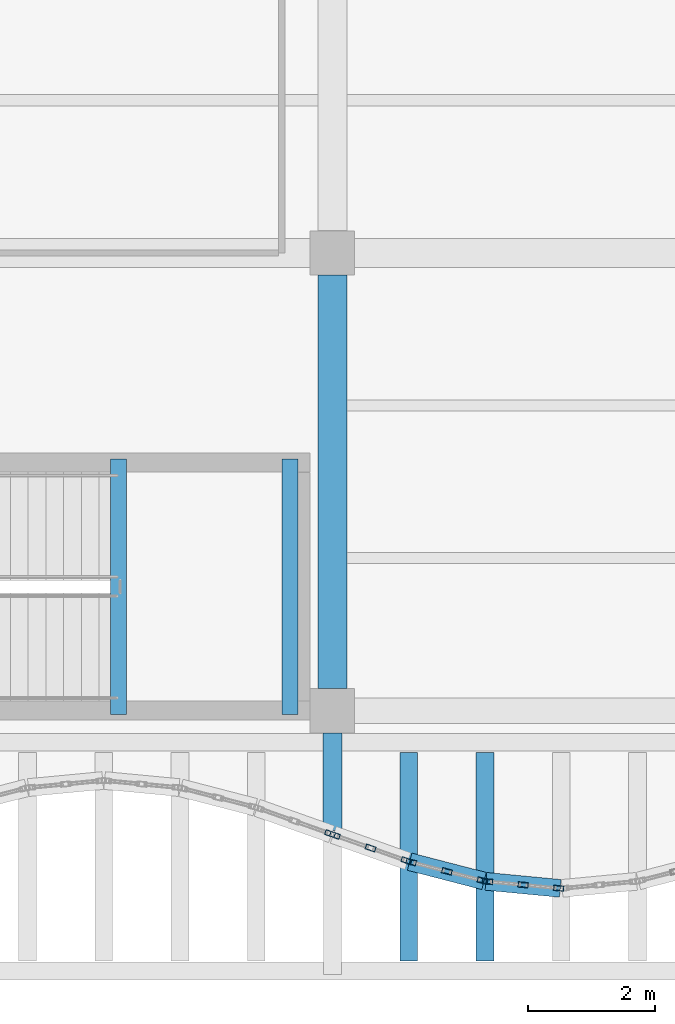
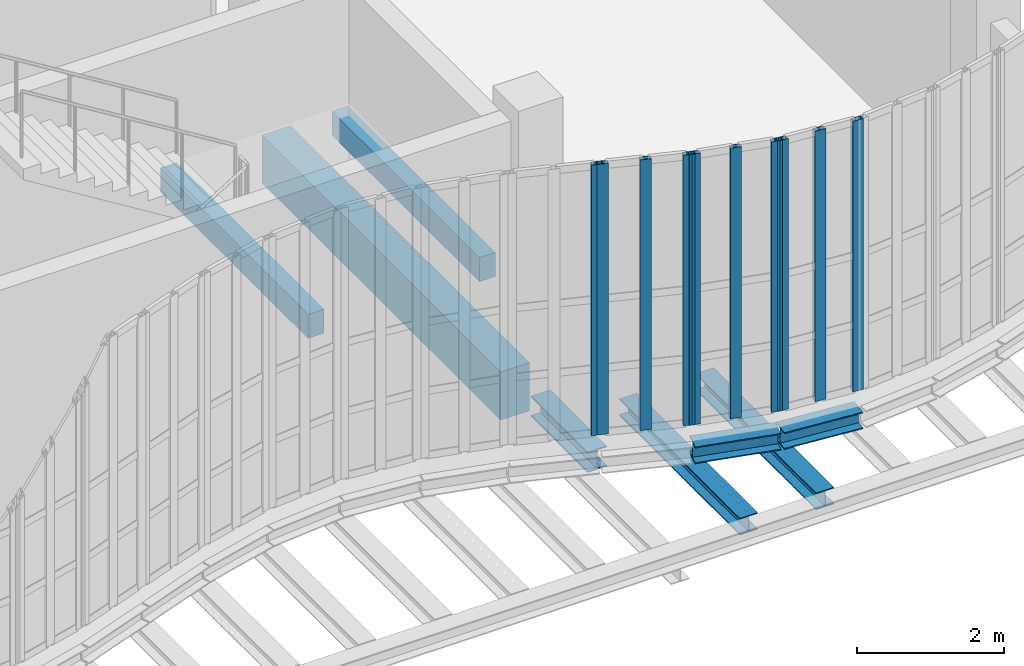
# One storey, part 37 of 108: 10 members, 8 beams, 4 elements without a shape of their own.
"""IFC4 building model written with IfcOpenShell, lengths in metres."""

from ifc_helpers import new_model, si_unit, direction, frame, origin, origin_2d, place, context, subcontext, project, spatial, rectangle, hollow_rectangle, i_section, extrude, material, layer, layer_set, material_profile, profile_set, type_object, element, aggregate, save


model = new_model("IFC4")

# Units and contexts
model_context = context("Model", 3, precision=1e-05, world=origin(), true_north=direction((0.0, 1.0)))
body_context = subcontext(model_context, "Body", "Model", "MODEL_VIEW")
ifc_project = project(units=[si_unit("LENGTHUNIT", "METRE"), si_unit("AREAUNIT", "SQUARE_METRE"), si_unit("VOLUMEUNIT", "CUBIC_METRE"), si_unit("PLANEANGLEUNIT", "RADIAN"), si_unit("MASSUNIT", "GRAM", prefix="KILO"), si_unit("THERMODYNAMICTEMPERATUREUNIT", "KELVIN"), si_unit("POWERUNIT", "WATT")], contexts=[model_context])

# Site, building, storey
site_placement = place(None, origin())
site = spatial("IfcSite", under=ifc_project, at=site_placement, CompositionType="ELEMENT")
building_placement = place(site_placement, origin())
building = spatial("IfcBuilding", under=site, at=building_placement, Name="Kaldorven Railside Theatre", CompositionType="ELEMENT")
storey_placement = place(building_placement, frame((0.0, 0.0, 5.39990234375)))
storey = spatial("IfcBuildingStorey", under=building, at=storey_placement, Name="L01", CompositionType="ELEMENT", Elevation=5.39990234375)

# Beams
ifc_material_1 = material(Name="Steel S355", Category="steel")
ifc_material_profile_1 = material_profile(ifc_material_1, i_section(OverallWidth=0.280029296875, OverallDepth=0.280029296875, WebThickness=0.010498046875, FlangeThickness=0.01806640625, at=origin_2d()), Name="HEB 280")
ifc_profile_set_1 = profile_set([ifc_material_profile_1], Name="Steel S355")
beam_type_1 = type_object("IfcBeamType", Name="BM-HEB280", PredefinedType="SPANDREL", material=ifc_profile_set_1)
beam_1_placement = place(storey_placement, frame((117.214599609375, 16.8212890625, -0.43994140625), z_axis=(0.967967836725, -0.251074226206, 0.0), x_axis=(0.251074226206, 0.967967836725, 0.0)))
element("IfcBeam", 1, at=beam_1_placement, inside=storey, type_object=beam_type_1, Name="L01 Sinusoidal Flute Edge Spandrel FSB-068", PredefinedType="SPANDREL", context=body_context, shape_type="SweptSolid", body=[
    extrude(i_section(OverallWidth=0.280029296875, OverallDepth=0.280029296875, WebThickness=0.010498046875, FlangeThickness=0.01806640625, at=origin_2d()), origin(), (0.0, 0.0, 1.0), 1.209716796875),
])
beam_2_placement = place(storey_placement, frame((117.199951171875, 15.260009765625, -0.719970703125), z_axis=(0.0, 1.0, 0.0), x_axis=(-1.0, 0.0, 0.0)))
element("IfcBeam", 2, at=beam_2_placement, inside=storey, type_object=beam_type_1, Name="L01 Sinusoidal Diaphragm Rib Outrigger FOB-M068", PredefinedType="SPANDREL", context=body_context, shape_type="SweptSolid", body=[
    extrude(i_section(OverallWidth=0.280029296875, OverallDepth=0.280029296875, WebThickness=0.010498046875, FlangeThickness=0.01806640625, at=origin_2d()), origin(), (0.0, 0.0, 1.0), 3.280029296875),
])
beam_3_placement = place(storey_placement, frame((118.414794921875, 16.512451171875, -0.43994140625), z_axis=(0.995526219207, -0.09448569665, 0.0), x_axis=(0.09448569665, 0.995526219207, 0.0)))
element("IfcBeam", 3, at=beam_3_placement, inside=storey, type_object=beam_type_1, Name="L01 Sinusoidal Flute Edge Spandrel FSB-069", PredefinedType="SPANDREL", context=body_context, shape_type="SweptSolid", body=[
    extrude(i_section(OverallWidth=0.280029296875, OverallDepth=0.280029296875, WebThickness=0.010498046875, FlangeThickness=0.01806640625, at=origin_2d()), origin(), (0.0, 0.0, 1.0), 1.17578125),
])
beam_4_placement = place(storey_placement, frame((118.39990234375, 15.260009765625, -0.719970703125), z_axis=(0.0, 1.0, 0.0), x_axis=(-1.0, 0.0, 0.0)))
element("IfcBeam", 4, at=beam_4_placement, inside=storey, type_object=beam_type_1, Name="L01 Sinusoidal Diaphragm Rib Outrigger FOB-M069", PredefinedType="SPANDREL", context=body_context, shape_type="SweptSolid", body=[
    extrude(i_section(OverallWidth=0.280029296875, OverallDepth=0.280029296875, WebThickness=0.010498046875, FlangeThickness=0.01806640625, at=origin_2d()), origin(), (0.0, 0.0, 1.0), 3.280029296875),
])
ifc_material_profile_2 = material_profile(ifc_material_1, i_section(OverallWidth=0.300048828125, OverallDepth=0.340087890625, WebThickness=0.011962890625, FlangeThickness=0.021484375, at=origin_2d()), Name="HEB 340")
ifc_profile_set_2 = profile_set([ifc_material_profile_2], Name="Steel S355")
beam_type_2 = type_object("IfcBeamType", Name="BM-HEB340", PredefinedType="SPANDREL", material=ifc_profile_set_2)
beam_5_placement = place(storey_placement, frame((116.0, 17.31005859375, -0.469970703125), z_axis=(0.0, 1.0, 0.0), x_axis=(-1.0, 0.0, 0.0)))
element("IfcBeam", 5, at=beam_5_placement, inside=storey, type_object=beam_type_2, Name="L01 Sinusoidal Veil Outrigger FOB-1116", PredefinedType="SPANDREL", context=body_context, shape_type="SweptSolid", body=[
    extrude(i_section(OverallWidth=0.300048828125, OverallDepth=0.340087890625, WebThickness=0.011962890625, FlangeThickness=0.021484375, at=origin_2d()), origin(), (0.0, 0.0, 1.0), 1.5400390625),
])
ifc_material_2 = material(Name="Concrete C40/50", Category="concrete")
ifc_material_profile_3 = material_profile(ifc_material_2, rectangle(XDim=0.25, YDim=0.39990234375, at=origin_2d()), Name="RC 250x400")
ifc_profile_set_3 = profile_set([ifc_material_profile_3], Name="Concrete C40/50")
beam_type_3 = type_object("IfcBeamType", Name="BM-RC250x400", PredefinedType="LINTEL", material=ifc_profile_set_3)
for number, where, z_axis, x_axis, name in (
    (6, (112.635009765625, 19.139892578125, 1.85009765625), (0.0, 1.0, 0.0), (-1.0, 0.0, 0.0), "Stair ST-04 L01 Half-Landing Bearer"),
    (7, (115.330078125, 19.139892578125, 1.85009765625), (0.0, 1.0, 0.0), (-1.0, 0.0, 0.0), "Stair ST-04 L01 Half-Landing Bearer"),
):
    element("IfcBeam", number, at=place(storey_placement, frame(where, z_axis=z_axis, x_axis=x_axis)), inside=storey, type_object=beam_type_3, Name=name, PredefinedType="LINTEL", context=body_context, shape_type="SweptSolid", body=[
        extrude(rectangle(XDim=0.25, YDim=0.39990234375, at=origin_2d()), origin(), (0.0, 0.0, 1.0), 4.02001953125),
    ])
ifc_material_profile_4 = material_profile(ifc_material_2, rectangle(XDim=0.449951171875, YDim=0.800048828125, at=origin_2d()), Name="RC 450x800")
ifc_profile_set_4 = profile_set([ifc_material_profile_4], Name="Concrete C40/50")
beam_type_4 = type_object("IfcBeamType", Name="BM-RC450x800", PredefinedType="BEAM", material=ifc_profile_set_4)
beam_6_placement = place(storey_placement, frame((116.0, 19.550048828125, -0.699951171875), z_axis=(0.0, 1.0, 0.0), x_axis=(-1.0, 0.0, 0.0)))
element("IfcBeam", 8, at=beam_6_placement, inside=storey, type_object=beam_type_4, Name="L01 Girder BGY-L01-116-019-72", PredefinedType="BEAM", context=body_context, shape_type="SweptSolid", body=[
    extrude(rectangle(XDim=0.449951171875, YDim=0.800048828125, at=origin_2d()), origin(), (0.0, 0.0, 1.0), 6.5),
])

# Curtain wall, member
ifc_material_3 = material(Name="Low-E laminated solar-control glass", Category="glass")
ifc_layer_1 = layer(ifc_material_3, 0.159912109375, Name="Low-E laminated solar-control glass")
ifc_layer_set_1 = layer_set([ifc_layer_1], Name="Low-E laminated solar-control glass")
curtain_wall_type_1 = type_object("IfcCurtainWallType", Name="CWT-01", PredefinedType="USERDEFINED", material=ifc_layer_set_1)
curtain_wall_1_placement = place(storey_placement, origin())
curtain_wall_1 = element("IfcCurtainWall", 9, at=curtain_wall_1_placement, inside=storey, type_object=curtain_wall_type_1, Name="Sinusoidal Fluted Curtain Wall CW-L01-S66", ObjectType="FLUTED GLAZING", PredefinedType="USERDEFINED")
ifc_material_4 = material(Name="Anodised bronze aluminium", Category="aluminium")
ifc_material_profile_5 = material_profile(ifc_material_4, hollow_rectangle(XDim=0.080078125, YDim=0.159912109375, WallThickness=0.00634765625, at=origin_2d()), Name="RHS 160x80x6.3")
ifc_profile_set_5 = profile_set([ifc_material_profile_5], Name="Anodised bronze aluminium")
member_type = type_object("IfcMemberType", Name="CWM-160", PredefinedType="MULLION", material=ifc_profile_set_5)
member_1_placement = place(storey_placement, frame((115.96240234375, 17.263427734375, 0.0), z_axis=(0.0, 0.0, 1.0), x_axis=(0.33384714225, 0.942627225159, 0.0)))
member_1 = element("IfcMember", 10, at=member_1_placement, type_object=member_type, Name="CW-L01-S66 mullion 3", PredefinedType="MULLION", context=body_context, shape_type="SweptSolid", body=[
    extrude(hollow_rectangle(XDim=0.080078125, YDim=0.159912109375, WallThickness=0.00634765625, at=origin_2d()), origin(), (0.0, 0.0, 1.0), 4.5),
])
aggregate(curtain_wall_1, [member_1])

# Curtain wall, members
curtain_wall_2_placement = place(storey_placement, origin())
curtain_wall_2 = element("IfcCurtainWall", 11, at=curtain_wall_2_placement, inside=storey, type_object=curtain_wall_type_1, Name="Sinusoidal Fluted Curtain Wall CW-L01-S67", ObjectType="FLUTED GLAZING", PredefinedType="USERDEFINED")
member_2_placement = place(storey_placement, frame((116.03759765625, 17.236572265625, 0.0), z_axis=(0.0, 0.0, 1.0), x_axis=(0.33384714225, 0.942627225159, 0.0)))
member_2 = element("IfcMember", 12, at=member_2_placement, type_object=member_type, Name="CW-L01-S67 mullion 1", PredefinedType="MULLION", context=body_context, shape_type="SweptSolid", body=[
    extrude(hollow_rectangle(XDim=0.080078125, YDim=0.159912109375, WallThickness=0.00634765625, at=origin_2d()), origin(), (0.0, 0.0, 1.0), 4.5),
])
member_3_placement = place(storey_placement, frame((116.60009765625, 17.03759765625, 0.0), z_axis=(0.0, 0.0, 1.0), x_axis=(0.33384714225, 0.942627225159, 0.0)))
member_3 = element("IfcMember", 13, at=member_3_placement, type_object=member_type, Name="CW-L01-S67 mullion 2", PredefinedType="MULLION", context=body_context, shape_type="SweptSolid", body=[
    extrude(hollow_rectangle(XDim=0.080078125, YDim=0.159912109375, WallThickness=0.00634765625, at=origin_2d()), origin(), (0.0, 0.0, 1.0), 4.5),
])
member_4_placement = place(storey_placement, frame((117.162353515625, 16.83837890625, 0.0), z_axis=(0.0, 0.0, 1.0), x_axis=(0.33384714225, 0.942627225159, 0.0)))
member_4 = element("IfcMember", 14, at=member_4_placement, type_object=member_type, Name="CW-L01-S67 mullion 3", PredefinedType="MULLION", context=body_context, shape_type="SweptSolid", body=[
    extrude(hollow_rectangle(XDim=0.080078125, YDim=0.159912109375, WallThickness=0.00634765625, at=origin_2d()), origin(), (0.0, 0.0, 1.0), 4.5),
])
aggregate(curtain_wall_2, [member_2, member_3, member_4])

ifc_layer_2 = layer(ifc_material_3, 0.159912109375, Name="Low-E laminated solar-control glass")
ifc_layer_set_2 = layer_set([ifc_layer_2], Name="Low-E laminated solar-control glass")
curtain_wall_type_2 = type_object("IfcCurtainWallType", Name="CWT-02", PredefinedType="USERDEFINED", material=ifc_layer_set_2)
curtain_wall_3_placement = place(storey_placement, origin())
curtain_wall_3 = element("IfcCurtainWall", 15, at=curtain_wall_3_placement, inside=storey, type_object=curtain_wall_type_2, Name="Sinusoidal Fluted Curtain Wall CW-L01-S68", ObjectType="FLUTED GLAZING", PredefinedType="USERDEFINED")
member_5_placement = place(storey_placement, frame((117.23876953125, 16.81494140625, 0.0), z_axis=(0.0, 0.0, 1.0), x_axis=(0.250953760326, 0.967999075505, 0.0)))
member_5 = element("IfcMember", 16, at=member_5_placement, type_object=member_type, Name="CW-L01-S68 mullion 1", PredefinedType="MULLION", context=body_context, shape_type="SweptSolid", body=[
    extrude(hollow_rectangle(XDim=0.080078125, YDim=0.159912109375, WallThickness=0.00634765625, at=origin_2d()), origin(), (0.0, 0.0, 1.0), 4.5),
])
member_6_placement = place(storey_placement, frame((117.800048828125, 16.66943359375, 0.0), z_axis=(0.0, 0.0, 1.0), x_axis=(0.250953760326, 0.967999075505, 0.0)))
member_6 = element("IfcMember", 17, at=member_6_placement, type_object=member_type, Name="CW-L01-S68 mullion 2", PredefinedType="MULLION", context=body_context, shape_type="SweptSolid", body=[
    extrude(hollow_rectangle(XDim=0.080078125, YDim=0.159912109375, WallThickness=0.00634765625, at=origin_2d()), origin(), (0.0, 0.0, 1.0), 4.5),
])
member_7_placement = place(storey_placement, frame((118.361328125, 16.52392578125, 0.0), z_axis=(0.0, 0.0, 1.0), x_axis=(0.250953760326, 0.967999075505, 0.0)))
member_7 = element("IfcMember", 18, at=member_7_placement, type_object=member_type, Name="CW-L01-S68 mullion 3", PredefinedType="MULLION", context=body_context, shape_type="SweptSolid", body=[
    extrude(hollow_rectangle(XDim=0.080078125, YDim=0.159912109375, WallThickness=0.00634765625, at=origin_2d()), origin(), (0.0, 0.0, 1.0), 4.5),
])
aggregate(curtain_wall_3, [member_5, member_6, member_7])

ifc_layer_3 = layer(ifc_material_3, 0.159912109375, Name="Low-E laminated solar-control glass")
ifc_layer_set_3 = layer_set([ifc_layer_3], Name="Low-E laminated solar-control glass")
curtain_wall_type_3 = type_object("IfcCurtainWallType", Name="CWT-03", PredefinedType="USERDEFINED", material=ifc_layer_set_3)
curtain_wall_4_placement = place(storey_placement, origin())
curtain_wall_4 = element("IfcCurtainWall", 19, at=curtain_wall_4_placement, inside=storey, type_object=curtain_wall_type_3, Name="Sinusoidal Fluted Curtain Wall CW-L01-S69", ObjectType="FLUTED GLAZING", PredefinedType="USERDEFINED")
member_8_placement = place(storey_placement, frame((118.43994140625, 16.510009765625, 0.0), z_axis=(0.0, 0.0, 1.0), x_axis=(0.094491973758, 0.995525623425, 0.0)))
member_8 = element("IfcMember", 20, at=member_8_placement, type_object=member_type, Name="CW-L01-S69 mullion 1", PredefinedType="MULLION", context=body_context, shape_type="SweptSolid", body=[
    extrude(hollow_rectangle(XDim=0.080078125, YDim=0.159912109375, WallThickness=0.00634765625, at=origin_2d()), origin(), (0.0, 0.0, 1.0), 4.5),
])
member_9_placement = place(storey_placement, frame((119.0, 16.45703125, 0.0), z_axis=(0.0, 0.0, 1.0), x_axis=(0.094491973758, 0.995525623425, 0.0)))
member_9 = element("IfcMember", 21, at=member_9_placement, type_object=member_type, Name="CW-L01-S69 mullion 2", PredefinedType="MULLION", context=body_context, shape_type="SweptSolid", body=[
    extrude(hollow_rectangle(XDim=0.080078125, YDim=0.159912109375, WallThickness=0.00634765625, at=origin_2d()), origin(), (0.0, 0.0, 1.0), 4.5),
])
member_10_placement = place(storey_placement, frame((119.56005859375, 16.40380859375, 0.0), z_axis=(0.0, 0.0, 1.0), x_axis=(0.094491973758, 0.995525623425, 0.0)))
member_10 = element("IfcMember", 22, at=member_10_placement, type_object=member_type, Name="CW-L01-S69 mullion 3", PredefinedType="MULLION", context=body_context, shape_type="SweptSolid", body=[
    extrude(hollow_rectangle(XDim=0.080078125, YDim=0.159912109375, WallThickness=0.00634765625, at=origin_2d()), origin(), (0.0, 0.0, 1.0), 4.5),
])
aggregate(curtain_wall_4, [member_8, member_9, member_10])

save(model, "model.ifc")
